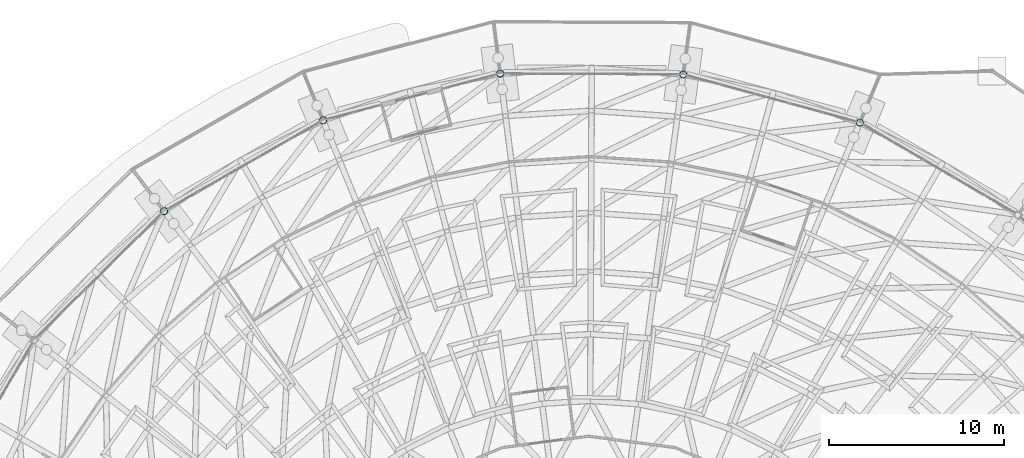
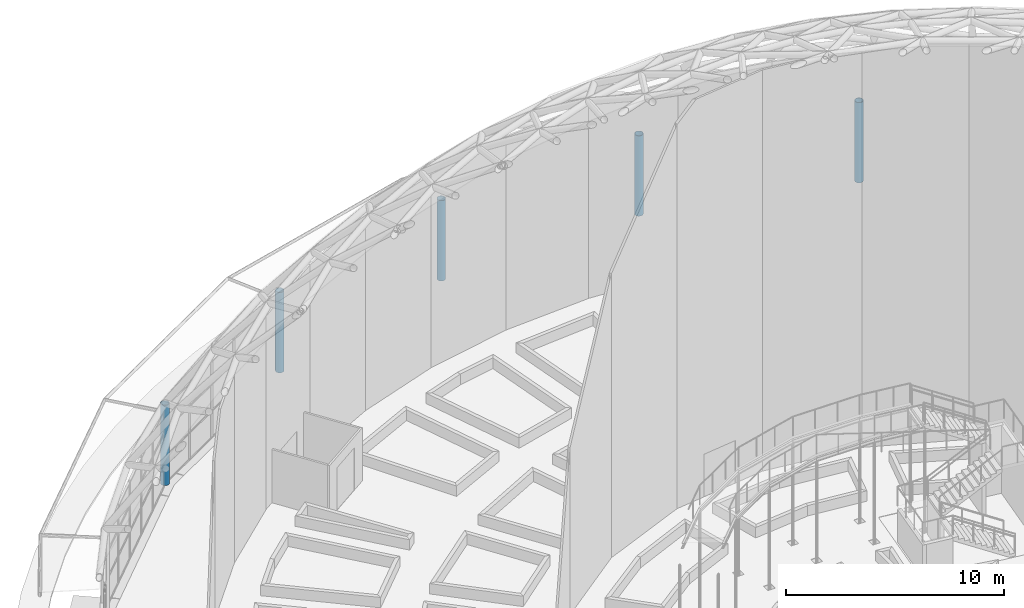
# One storey, part 43 of 226: 5 columns.
"""IFC4 building model written with IfcOpenShell, lengths in metres."""

from ifc_helpers import new_model, si_unit, direction, frame, origin, origin_2d, place, context, subcontext, project, spatial, hollow_circle, extrude, material, material_profile, profile_set, type_object, element, save


model = new_model("IFC4")

# Units and contexts
model_context = context("Model", 3, precision=1e-05, world=origin(), true_north=direction((0.0, 1.0)))
body_context = subcontext(model_context, "Body", "Model", "MODEL_VIEW")
ifc_project = project(units=[si_unit("LENGTHUNIT", "METRE"), si_unit("AREAUNIT", "SQUARE_METRE"), si_unit("VOLUMEUNIT", "CUBIC_METRE"), si_unit("PLANEANGLEUNIT", "RADIAN"), si_unit("MASSUNIT", "GRAM", prefix="KILO")], contexts=[model_context])

# Site, building, storey
site_placement = place(None, origin())
site = spatial("IfcSite", under=ifc_project, at=site_placement, CompositionType="ELEMENT")
building_placement = place(site_placement, origin())
building = spatial("IfcBuilding", under=site, at=building_placement, Name="Ceibo Conservatory and Research Tower", CompositionType="ELEMENT")
storey_placement = place(building_placement, origin())
storey = spatial("IfcBuildingStorey", under=building, at=storey_placement, Name="L00", CompositionType="ELEMENT", Elevation=0.0)

# Columns
ifc_material = material(Name="Steel ASTM A500 Gr C", Category="steel")
ifc_material_profile = material_profile(ifc_material, hollow_circle(Radius=0.203125, WallThickness=0.0126953125, at=origin_2d()), Name="CHS column 406.4x12.70")
ifc_profile_set = profile_set([ifc_material_profile], Name="Steel ASTM A500 Gr C")
column_type = type_object("IfcColumnType", Name="CHS column 406.4x12.70", PredefinedType="COLUMN", material=ifc_profile_set)
for number, where, z_axis, x_axis, name in (
    (1, (171.468505859375, 144.887939453125, 0.0), (0.0, 0.0, 1.0), (1.0, 0.0, 0.0), "Drum column A-DC05"),
    (2, (161.39404296875, 147.634521484375, 0.0), (0.0, 0.0, 1.0), (1.0, 0.0, 0.0), "Drum column A-DC06"),
    (3, (150.9521484375, 147.68017578125, 0.0), (0.0, 0.0, 1.0), (1.0, 0.0, 0.0), "Drum column A-DC07"),
    (4, (140.85400390625, 145.021728515625, 0.0), (0.0, 0.0, 1.0), (1.0, 0.0, 0.0), "Drum column A-DC08"),
    (5, (131.788330078125, 139.840087890625, 0.0), (0.0, 0.0, 1.0), (1.0, 0.0, 0.0), "Drum column A-DC09"),
):
    element("IfcColumn", number, at=place(storey_placement, frame(where, z_axis=z_axis, x_axis=x_axis)), inside=storey, type_object=column_type, Name=name, PredefinedType="COLUMN", context=body_context, shape_type="SweptSolid", body=[
        extrude(hollow_circle(Radius=0.203125, WallThickness=0.0126953125, at=origin_2d()), origin(), (0.0, 0.0, 1.0), 4.5),
    ])

save(model, "model.ifc")
